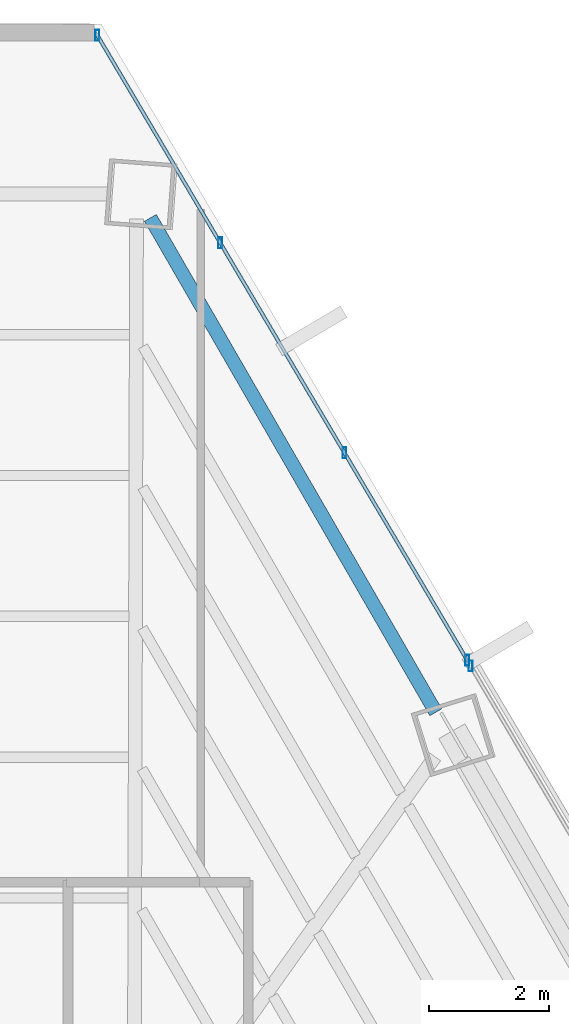
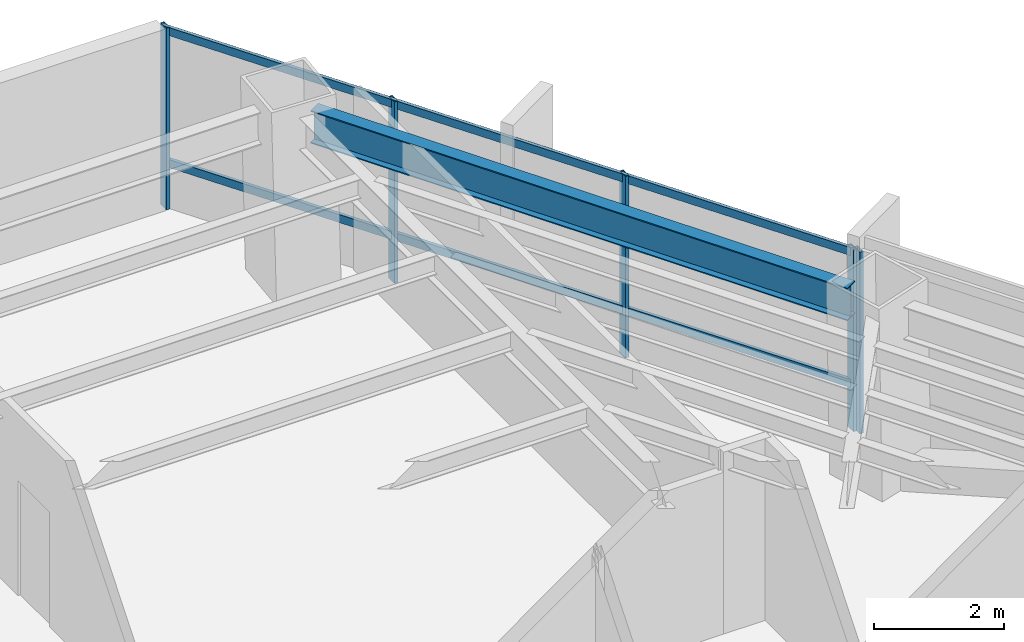
# One storey, part 28 of 35: 7 members, 1 beam, 2 elements without a shape of their own.
"""IFC4 building model written with IfcOpenShell, lengths in metres."""

from ifc_helpers import new_model, si_unit, direction, frame, origin, origin_2d, place, context, subcontext, project, spatial, hollow_rectangle, i_section, extrude, source, transform, mapped, material, material_profile, profile_set, type_object, type_shapes, element, aggregate, save


model = new_model("IFC4")

# Units and contexts
model_context = context("Model", 3, precision=1e-05, world=origin(), true_north=direction((0.0, 1.0)))
body_context = subcontext(model_context, "Body", "Model", "MODEL_VIEW")
ifc_project = project(units=[si_unit("LENGTHUNIT", "METRE"), si_unit("AREAUNIT", "SQUARE_METRE"), si_unit("VOLUMEUNIT", "CUBIC_METRE"), si_unit("PLANEANGLEUNIT", "RADIAN"), si_unit("MASSUNIT", "GRAM", prefix="KILO")], contexts=[model_context])

# Site, building, storey
site_placement = place(None, origin())
site = spatial("IfcSite", under=ifc_project, at=site_placement, CompositionType="ELEMENT")
building_placement = place(site_placement, origin())
building = spatial("IfcBuilding", under=site, at=building_placement, Name="Caelisora Broadcast Tower", CompositionType="ELEMENT")
storey_placement = place(building_placement, frame((0.0, 0.0, 98.10009765625)))
storey = spatial("IfcBuildingStorey", under=building, at=storey_placement, Name="L25", CompositionType="ELEMENT", Elevation=98.10009765625)

# Beam
ifc_material_1 = material(Name="Steel Grade 350 (AS/NZS 3679.1)", Category="steel")
ifc_material_profile_1 = material_profile(ifc_material_1, i_section(OverallWidth=0.22900390625, OverallDepth=0.611572265625, WebThickness=0.011962890625, FlangeThickness=0.01953125, at=origin_2d()), Name="Steel Grade 350 (AS/NZS 3679.1)")
ifc_profile_set_1 = profile_set([ifc_material_profile_1], Name="Steel Grade 350 (AS/NZS 3679.1)")
beam_type = type_object("IfcBeamType", Name="PG03", PredefinedType="BEAM", material=ifc_profile_set_1)
shared_shape_1 = source(origin(), body_context, "Body", "SweptSolid", [
    extrude(i_section(OverallWidth=0.22900390625, OverallDepth=0.611572265625, WebThickness=0.011962890625, FlangeThickness=0.01953125, at=origin_2d()), origin(), (0.0, 0.0, 1.0), 9.50048828125),
])
type_shapes(beam_type, [shared_shape_1])
beam_placement = place(storey_placement, frame((50.5205078125, 37.7763671875, 3.093994140625), z_axis=(-0.499994576128, 0.866028535236, 0.0), x_axis=(-0.866028535236, -0.499994576128, 0.0)))
element("IfcBeam", 1, at=beam_placement, inside=storey, type_object=beam_type, Name="L25 beam PG03", PredefinedType="BEAM", context=body_context, shape_type="MappedRepresentation", body=[
    mapped(shared_shape_1, transform((0.0, 0.0, 0.0), scale=1.0)),
])

# Curtain wall, members
ifc_material_2 = material(Name="Unitised Aluminium and Low-E Glass Curtain Wall", Category="glass")
curtain_wall_type_1 = type_object("IfcCurtainWallType", Name="CW-Z2", PredefinedType="NOTDEFINED", material=ifc_material_2)
curtain_wall_1_placement = place(storey_placement, origin())
curtain_wall_1 = element("IfcCurtainWall", 2, at=curtain_wall_1_placement, inside=storey, type_object=curtain_wall_type_1, Name="L25 curtain wall CW-Z2", PredefinedType="NOTDEFINED")
ifc_material_3 = material(Name="Aluminium 6063-T6 Anodised Terracotta Bronze", Category="aluminium")
ifc_material_profile_2 = material_profile(ifc_material_3, hollow_rectangle(XDim=0.06494140625, YDim=0.179931640625, WallThickness=0.00341796875, at=origin_2d()), Name="Aluminium 6063-T6 Anodised Terracotta Bronze")
ifc_profile_set_2 = profile_set([ifc_material_profile_2], Name="Aluminium 6063-T6 Anodised Terracotta Bronze")
member_type_1 = type_object("IfcMemberType", Name="CWM-02", PredefinedType="MULLION", material=ifc_profile_set_2)
shared_shape_2 = source(origin(), body_context, "Body", "SweptSolid", [
    extrude(hollow_rectangle(XDim=0.06494140625, YDim=0.179931640625, WallThickness=0.00341796875, at=origin_2d()), origin(), (0.0, 0.0, 1.0), 3.39990234375),
])
type_shapes(member_type_1, [shared_shape_2])
member_1_placement = place(storey_placement, frame((44.888427734375, 49.041015625, 0.0), z_axis=(0.0, 0.0, 1.0), x_axis=(1.0, 0.0, 0.0)))
member_1 = element("IfcMember", 3, at=member_1_placement, type_object=member_type_1, Name="L25-CW-B01 mullion #0", PredefinedType="MULLION", context=body_context, shape_type="MappedRepresentation", body=[
    mapped(shared_shape_2, transform((0.0, 0.0, 0.0), scale=1.0)),
])
member_2_placement = place(storey_placement, frame((46.931884765625, 45.5888671875, 0.0), z_axis=(0.0, 0.0, 1.0), x_axis=(1.0, 0.0, 0.0)))
member_2 = element("IfcMember", 4, at=member_2_placement, type_object=member_type_1, Name="L25-CW-B01 mullion #1", PredefinedType="MULLION", context=body_context, shape_type="MappedRepresentation", body=[
    mapped(shared_shape_2, transform((0.0, 0.0, 0.0), scale=1.0)),
])
member_3_placement = place(storey_placement, frame((49.0009765625, 42.09375, 0.0), z_axis=(0.0, 0.0, 1.0), x_axis=(1.0, 0.0, 0.0)))
member_3 = element("IfcMember", 5, at=member_3_placement, type_object=member_type_1, Name="L25-CW-B01 mullion #2", PredefinedType="MULLION", context=body_context, shape_type="MappedRepresentation", body=[
    mapped(shared_shape_2, transform((0.0, 0.0, 0.0), scale=1.0)),
])
member_4_placement = place(storey_placement, frame((51.044189453125, 38.6416015625, 0.0), z_axis=(0.0, 0.0, 1.0), x_axis=(1.0, 0.0, 0.0)))
member_4 = element("IfcMember", 6, at=member_4_placement, type_object=member_type_1, Name="L25-CW-B01 mullion #3", PredefinedType="MULLION", context=body_context, shape_type="MappedRepresentation", body=[
    mapped(shared_shape_2, transform((0.0, 0.0, 0.0), scale=1.0)),
])

# Curtain wall, member
ifc_material_4 = material(Name="Unitised Aluminium Insulated Shadow-Box Spandrel Curtain Wall", Category="aluminium")
curtain_wall_type_2 = type_object("IfcCurtainWallType", Name="CW-SP1", PredefinedType="NOTDEFINED", material=ifc_material_4)
curtain_wall_2_placement = place(storey_placement, origin())
curtain_wall_2 = element("IfcCurtainWall", 7, at=curtain_wall_2_placement, inside=storey, type_object=curtain_wall_type_2, Name="L25 curtain wall CW-SP1", PredefinedType="NOTDEFINED")
member_5_placement = place(storey_placement, frame((51.100341796875, 38.547119140625, 0.0), z_axis=(0.0, 0.0, 1.0), x_axis=(1.0, 0.0, 0.0)))
member_5 = element("IfcMember", 8, at=member_5_placement, type_object=member_type_1, Name="L25-CW-B02 mullion #0", PredefinedType="MULLION", context=body_context, shape_type="MappedRepresentation", body=[
    mapped(shared_shape_2, transform((0.0, 0.0, 0.0), scale=1.0)),
])
aggregate(curtain_wall_2, [member_5])

# Member
ifc_material_profile_3 = material_profile(ifc_material_3, hollow_rectangle(XDim=0.06005859375, YDim=0.14990234375, WallThickness=0.00341796875, at=origin_2d()), Name="Aluminium 6063-T6 Anodised Terracotta Bronze")
ifc_profile_set_3 = profile_set([ifc_material_profile_3], Name="Aluminium 6063-T6 Anodised Terracotta Bronze")
member_type_2 = type_object("IfcMemberType", Name="CWT-02", PredefinedType="USERDEFINED", material=ifc_profile_set_3)
shared_shape_3 = source(origin(), body_context, "Body", "SweptSolid", [
    extrude(hollow_rectangle(XDim=0.06005859375, YDim=0.14990234375, WallThickness=0.00341796875, at=origin_2d()), origin(), (0.0, 0.0, 1.0), 12.084716796875),
])
type_shapes(member_type_2, [shared_shape_3])
member_6_placement = place(storey_placement, frame((44.888427734375, 49.041015625, 0.849853515625), z_axis=(0.50938257153, -0.860540176762, 0.0), x_axis=(0.860540176762, 0.50938257153, 0.0)))
member_6 = element("IfcMember", 9, at=member_6_placement, type_object=member_type_2, Name="L25-CW-B01 transom #1", ObjectType="TRANSOM", PredefinedType="USERDEFINED", context=body_context, shape_type="MappedRepresentation", body=[
    mapped(shared_shape_3, transform((0.0, 0.0, 0.0), scale=1.0)),
])

member_7_placement = place(storey_placement, frame((44.888427734375, 49.041015625, 3.31982421875), z_axis=(0.50938257153, -0.860540176762, 0.0), x_axis=(0.860540176762, 0.50938257153, 0.0)))
member_7 = element("IfcMember", 10, at=member_7_placement, type_object=member_type_2, Name="L25-CW-B01 transom #2", ObjectType="TRANSOM", PredefinedType="USERDEFINED", context=body_context, shape_type="MappedRepresentation", body=[
    mapped(shared_shape_3, transform((0.0, 0.0, 0.0), scale=1.0)),
])

aggregate(curtain_wall_1, [member_1, member_2, member_3, member_4, member_6, member_7])

save(model, "model.ifc")
